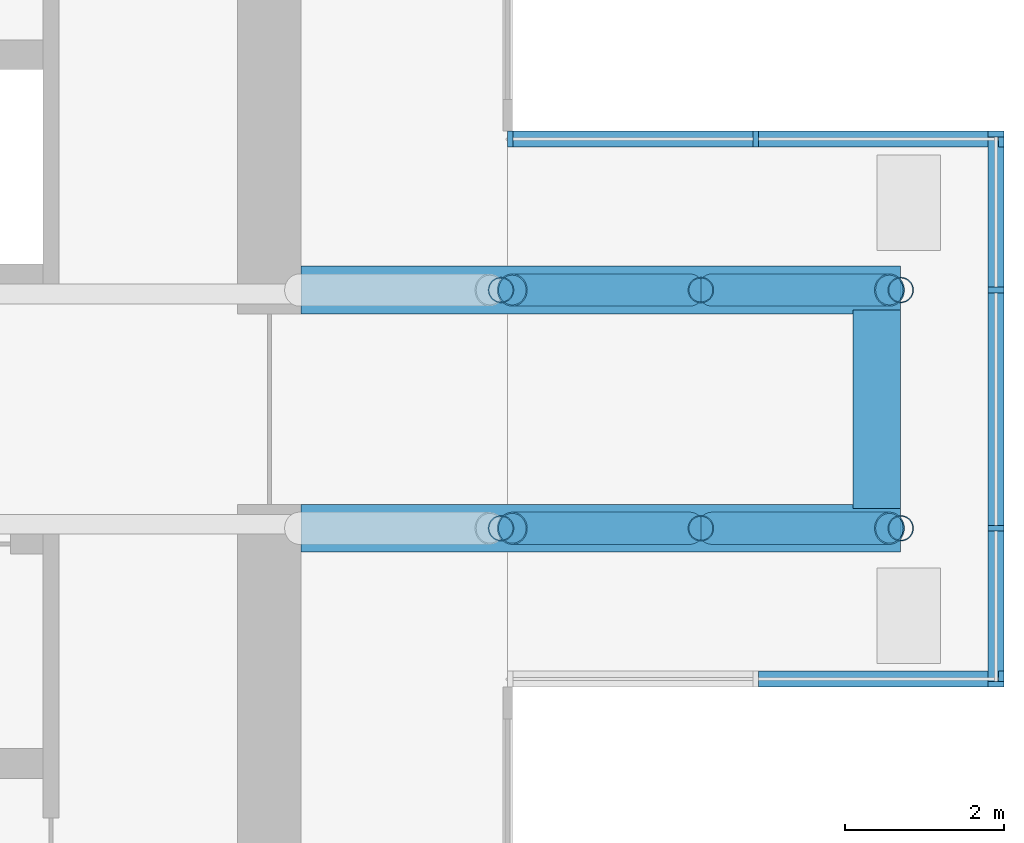
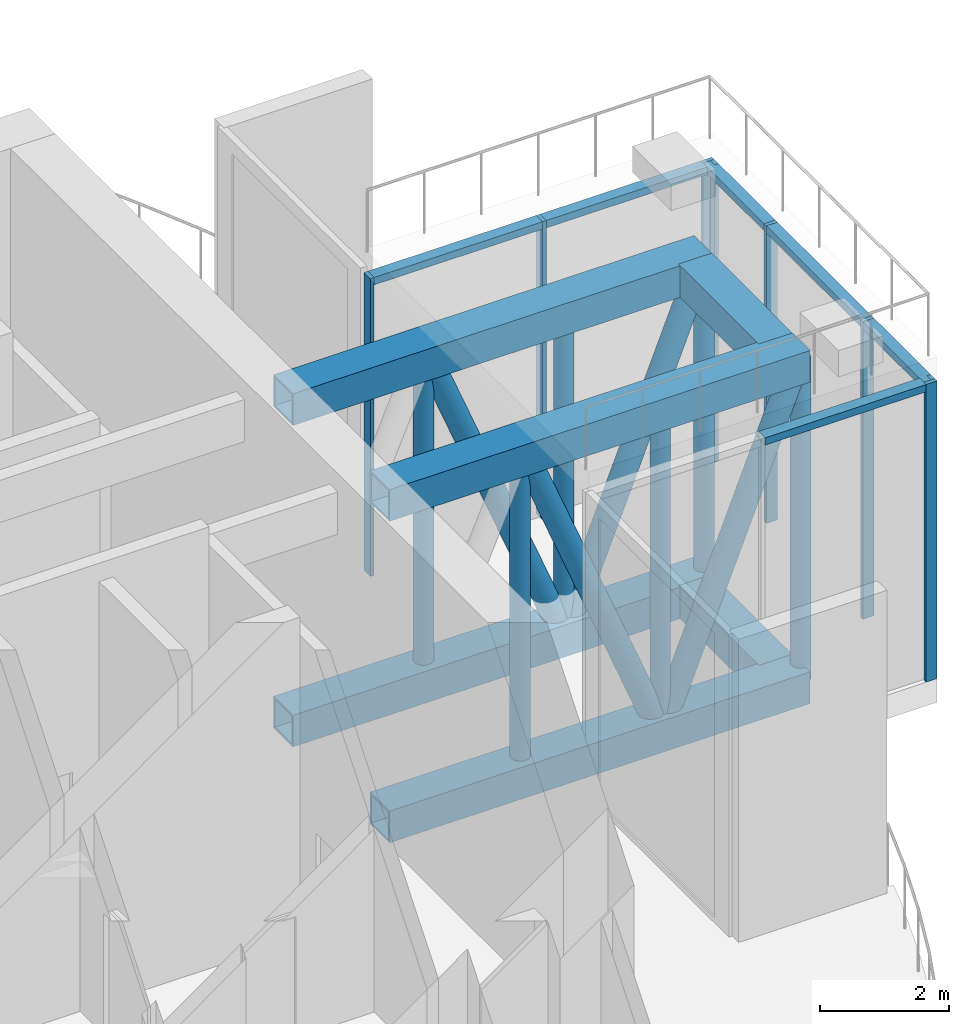
# One storey, part 7 of 22: 24 members, 6 beams, 3 elements without a shape of their own.
"""IFC4 building model written with IfcOpenShell, lengths in metres."""

import ifcopenshell
import ifcopenshell.guid

model = None  # the IFC model being written
_history = None  # IfcOwnerHistory: only IFC2X3 demands one
_inside = {}  # id of a spatial element -> (the spatial element, [elements in it])
_under = {}  # id of a project, library or spatial element -> (it, [spatial elements below it])
_declared = {}  # id of a project -> (the project, [libraries it declares])
_typed = {}  # id of a type object -> (the type object, [elements of that type])
_made_of = {}  # id of a material, layer set ... -> (it, [elements and type objects made of it])


def new_model(schema):
    """Start an empty IFC model of exactly this schema.

    Asked for "IFC4X3", IfcOpenShell would pick the latest addendum, in which some entities
    have other attributes; the version numbers below select the first issue.
    IFC2X3 requires an IfcOwnerHistory on every rooted entity: one is made here for all.
    """
    global model, _history
    if schema == "IFC4X3":
        model = ifcopenshell.file(schema_version=(4, 3, 0, 0))
    else:
        model = ifcopenshell.file(schema=schema)
    _inside.clear()
    _under.clear()
    _declared.clear()
    _typed.clear()
    _made_of.clear()
    _history = None
    if model.schema == "IFC2X3":
        org = make("IfcOrganization", Name="unknown")
        user = make(
            "IfcPersonAndOrganization",
            ThePerson=make("IfcPerson", FamilyName="unknown"),
            TheOrganization=org,
        )
        app = make(
            "IfcApplication",
            ApplicationDeveloper=org,
            Version="unknown",
            ApplicationFullName="unknown",
            ApplicationIdentifier="unknown",
        )
        _history = make(
            "IfcOwnerHistory",
            OwningUser=user,
            OwningApplication=app,
            ChangeAction="ADDED",
            CreationDate=0,
        )
    return model


def make(cls, **values):
    """One entity of the class cls with the attributes given. An attribute that is None is left unset."""
    return model.create_entity(
        cls, **{name: value for name, value in values.items() if value is not None}
    )


def rooted(cls, **values):
    """An entity with a GlobalId (a new one), such as an element, a storey or a relation."""
    return make(cls, GlobalId=ifcopenshell.guid.new(), OwnerHistory=_history, **values)


def si_unit(unit_type, name, prefix=None):
    """IfcSIUnit, for example si_unit("LENGTHUNIT", "METRE", prefix="MILLI")."""
    return make("IfcSIUnit", UnitType=unit_type, Prefix=prefix, Name=name)


def assignment(units):
    """IfcUnitAssignment: the units of a project."""
    return None if units is None else make("IfcUnitAssignment", Units=units)


def point(xyz):
    """IfcCartesianPoint."""
    return None if xyz is None else make("IfcCartesianPoint", Coordinates=xyz)


def direction(xyz):
    """IfcDirection."""
    return None if xyz is None else make("IfcDirection", DirectionRatios=xyz)


def frame(location, z_axis=None, x_axis=None):
    """IfcAxis2Placement3D, a coordinate frame: its origin and axes. An axis left out is left unset."""
    return make(
        "IfcAxis2Placement3D",
        Location=point(location),
        Axis=direction(z_axis),
        RefDirection=direction(x_axis),
    )


def frame_2d(location, x_axis=None):
    """IfcAxis2Placement2D, a coordinate frame in the plane: its origin and x axis."""
    return make(
        "IfcAxis2Placement2D", Location=point(location), RefDirection=direction(x_axis)
    )


def origin():
    """The frame at (0, 0, 0) with its axes left unset."""
    return frame((0.0, 0.0, 0.0))


def origin_2d():
    """The frame at (0, 0) in the plane with its x axis left unset."""
    return frame_2d((0.0, 0.0))


def place(relative_to, where):
    """IfcLocalPlacement: puts the frame where relative to a parent placement (None: the world)."""
    return make(
        "IfcLocalPlacement", PlacementRelTo=relative_to, RelativePlacement=where
    )


def context(
    kind, dimensions, precision=None, world=None, true_north=None, identifier=None
):
    """IfcGeometricRepresentationContext, for example the 3D "Model" context."""
    return make(
        "IfcGeometricRepresentationContext",
        ContextIdentifier=identifier,
        ContextType=kind,
        CoordinateSpaceDimension=dimensions,
        Precision=precision,
        WorldCoordinateSystem=world,
        TrueNorth=true_north,
    )


def subcontext(parent, identifier, kind, view, scale=None):
    """IfcGeometricRepresentationSubContext, for example "Body" below "Model"."""
    return make(
        "IfcGeometricRepresentationSubContext",
        ContextIdentifier=identifier,
        ContextType=kind,
        ParentContext=parent,
        TargetScale=scale,
        TargetView=view,
    )


def project(units=None, contexts=None):
    """IfcProject with its units and contexts."""
    return rooted(
        "IfcProject",
        Name="project",
        RepresentationContexts=contexts,
        UnitsInContext=assignment(units),
    )


def spatial(cls, under=None, at=None, **own):
    """A site, building, storey or space (cls), placed at a placement, below another one or the project."""
    s = rooted(cls, ObjectPlacement=at, **own)
    if under is not None:
        _under.setdefault(under.id(), (under, []))[1].append(s)
    return s


def profile(cls, at=None, kind="AREA", **sizes):
    """A parametric profile (cls). Its sizes go by their IFC names, for example OverallWidth=200.0."""
    return make(cls, ProfileType=kind, Position=at, **sizes)


def rectangle(**sizes):
    """IfcRectangleProfileDef."""
    return profile("IfcRectangleProfileDef", **sizes)


def hollow_rectangle(**sizes):
    """IfcRectangleHollowProfileDef."""
    return profile("IfcRectangleHollowProfileDef", **sizes)


def hollow_circle(**sizes):
    """IfcCircleHollowProfileDef."""
    return profile("IfcCircleHollowProfileDef", **sizes)


def extrude(swept, where, along, depth):
    """IfcExtrudedAreaSolid: the profile swept, set in the frame where, extruded along a direction by depth."""
    return make(
        "IfcExtrudedAreaSolid",
        SweptArea=swept,
        Position=where,
        ExtrudedDirection=direction(along),
        Depth=depth,
    )


def shape(context_of_items, identifier, shape_type, items):
    """IfcShapeRepresentation: the items that make up one representation, for example the "Body"."""
    return make(
        "IfcShapeRepresentation",
        ContextOfItems=context_of_items,
        RepresentationIdentifier=identifier,
        RepresentationType=shape_type,
        Items=items,
    )


def material(Name=None, Category=None):
    """IfcMaterial."""
    return make("IfcMaterial", Name=Name, Category=Category)


def layer(
    of_material, thickness, ventilated=None, Name=None, Category=None, Priority=None
):
    """IfcMaterialLayer: one layer of a wall or slab, of a material (None: an air gap)."""
    return make(
        "IfcMaterialLayer",
        Material=of_material,
        LayerThickness=thickness,
        IsVentilated=ventilated,
        Name=Name,
        Category=Category,
        Priority=Priority,
    )


def layer_set(layers, Name=None):
    """IfcMaterialLayerSet."""
    return make("IfcMaterialLayerSet", MaterialLayers=layers, LayerSetName=Name)


def material_profile(
    of_material, cross_section, Name=None, Category=None, Priority=None
):
    """IfcMaterialProfile: a cross section and its material."""
    return make(
        "IfcMaterialProfile",
        Name=Name,
        Material=of_material,
        Profile=cross_section,
        Priority=Priority,
        Category=Category,
    )


def profile_set(profiles, Name=None, composite=None):
    """IfcMaterialProfileSet."""
    return make(
        "IfcMaterialProfileSet",
        Name=Name,
        MaterialProfiles=profiles,
        CompositeProfile=composite,
    )


def made_of(thing, what):
    """Note that an element or type object is made of a material, layer set ...; save() writes the relation."""
    if what is not None:
        _made_of.setdefault(what.id(), (what, []))[1].append(thing)
    return thing


def type_object(cls, material=None, **own):
    """A type object (cls), such as IfcWallType, which elements share."""
    return made_of(rooted(cls, **own), material)


def element(
    cls,
    number,
    at=None,
    inside=None,
    cuts=None,
    type_object=None,
    material=None,
    context=None,
    identifier="Body",
    shape_type=None,
    held_by="IfcProductDefinitionShape",
    body=None,
    shapes=None,
    **own,
):
    """One element of the class cls, such as IfcWall. Its Tag is "e" and its number.

    at: its placement. inside: the storey or other place that contains it. cuts: it is an
    opening in that element (IfcRelVoidsElement). A single representation is given by context,
    identifier, shape_type and body (its items); several are given by shapes. held_by: the class
    of the entity that holds the representations. save() writes the other relations.
    """
    e = rooted(cls, Tag="e%d" % number, ObjectPlacement=at, **own)
    if body is not None:
        shapes = [shape(context, identifier, shape_type, body)]
    if shapes is not None:
        e.Representation = make(held_by, Representations=shapes)
    if inside is not None:
        _inside.setdefault(inside.id(), (inside, []))[1].append(e)
    if cuts is not None:
        rooted(
            "IfcRelVoidsElement", RelatingBuildingElement=cuts, RelatedOpeningElement=e
        )
    if type_object is not None:
        _typed.setdefault(type_object.id(), (type_object, []))[1].append(e)
    return made_of(e, material)


def aggregate(whole, parts):
    """IfcRelAggregates: a whole, such as a stair, and the parts it consists of."""
    return rooted("IfcRelAggregates", RelatingObject=whole, RelatedObjects=parts)


def save(model, path):
    """Write the relations noted so far, then the file.

    IfcRelAggregates (storeys below a building ...), IfcRelContainedInSpatialStructure (elements
    in a storey), IfcRelDefinesByType, IfcRelAssociatesMaterial and IfcRelDeclares: one each for
    every whole, place, type object, material and project.
    """
    for whole, parts in _under.values():
        aggregate(whole, parts)
    for where, things in _inside.values():
        rooted(
            "IfcRelContainedInSpatialStructure",
            RelatedElements=things,
            RelatingStructure=where,
        )
    for kind, things in _typed.values():
        rooted("IfcRelDefinesByType", RelatedObjects=things, RelatingType=kind)
    for what, things in _made_of.values():
        rooted("IfcRelAssociatesMaterial", RelatedObjects=things, RelatingMaterial=what)
    for by, libraries in _declared.values():
        rooted("IfcRelDeclares", RelatingContext=by, RelatedDefinitions=libraries)
    model.write(path)


model = new_model("IFC4")

# Units and contexts
model_context = context("Model", 3, precision=1e-05, world=origin(), true_north=direction((0.0, 1.0)))
body_context = subcontext(model_context, "Body", "Model", "MODEL_VIEW")
ifc_project = project(units=[si_unit("LENGTHUNIT", "METRE"), si_unit("AREAUNIT", "SQUARE_METRE"), si_unit("VOLUMEUNIT", "CUBIC_METRE"), si_unit("PLANEANGLEUNIT", "RADIAN"), si_unit("MASSUNIT", "GRAM", prefix="KILO")], contexts=[model_context])

# Site, building, storey
site_placement = place(None, origin())
site = spatial("IfcSite", under=ifc_project, at=site_placement, CompositionType="ELEMENT")
building_placement = place(site_placement, origin())
building = spatial("IfcBuilding", under=site, at=building_placement, Name="Maasbend Ring Residences", CompositionType="ELEMENT")
storey_placement = place(building_placement, frame((0.0, 0.0, 57.5)))
storey = spatial("IfcBuildingStorey", under=building, at=storey_placement, Name="L16", CompositionType="ELEMENT", Elevation=57.5)

# Curtain wall, members
ifc_material_1 = material(Name="Aluminium and clear glass", Category="aluminium")
ifc_layer = layer(ifc_material_1, 0.199951171875)
ifc_layer_set = layer_set([ifc_layer], Name="CW-GR")
curtain_wall_type = type_object("IfcCurtainWallType", Name="CW-GR", PredefinedType="NOTDEFINED", material=ifc_layer_set)
curtain_wall_1_placement = place(storey_placement, origin())
curtain_wall_1 = element("IfcCurtainWall", 1, at=curtain_wall_1_placement, inside=storey, type_object=curtain_wall_type, Name="Glass lounge curtain wall tip", PredefinedType="NOTDEFINED")
ifc_material_2 = material(Name="Aluminium 6063-T6", Category="aluminium")
ifc_material_profile_1 = material_profile(ifc_material_2, rectangle(XDim=0.199951171875, YDim=0.070068359375, at=origin_2d()), Name="AL 200x70")
ifc_profile_set_1 = profile_set([ifc_material_profile_1], Name="Aluminium 6063-T6")
member_type_1 = type_object("IfcMemberType", Name="CWM-GR", PredefinedType="MULLION", material=ifc_profile_set_1)
member_1_placement = place(storey_placement, frame((31.14990234375, -3.465087890625, 0.0), z_axis=(0.0, 0.0, 1.0), x_axis=(-1.0, 0.0, 0.0)))
member_1 = element("IfcMember", 2, at=member_1_placement, type_object=member_type_1, Name="Mullion glass room", PredefinedType="MULLION", context=body_context, shape_type="SweptSolid", body=[
    extrude(rectangle(XDim=0.199951171875, YDim=0.070068359375, at=origin_2d()), origin(), (0.0, 0.0, 1.0), 5.64990234375),
])
member_2_placement = place(storey_placement, frame((31.14990234375, -1.5, 0.0), z_axis=(0.0, 0.0, 1.0), x_axis=(-1.0, 0.0, 0.0)))
member_2 = element("IfcMember", 3, at=member_2_placement, type_object=member_type_1, Name="Mullion glass room", PredefinedType="MULLION", context=body_context, shape_type="SweptSolid", body=[
    extrude(rectangle(XDim=0.199951171875, YDim=0.070068359375, at=origin_2d()), origin(), (0.0, 0.0, 1.0), 5.64990234375),
])
member_3_placement = place(storey_placement, frame((31.14990234375, 1.5, 0.0), z_axis=(0.0, 0.0, 1.0), x_axis=(-1.0, 0.0, 0.0)))
member_3 = element("IfcMember", 4, at=member_3_placement, type_object=member_type_1, Name="Mullion glass room", PredefinedType="MULLION", context=body_context, shape_type="SweptSolid", body=[
    extrude(rectangle(XDim=0.199951171875, YDim=0.070068359375, at=origin_2d()), origin(), (0.0, 0.0, 1.0), 5.64990234375),
])
member_4_placement = place(storey_placement, frame((31.14990234375, 3.465087890625, 0.0), z_axis=(0.0, 0.0, 1.0), x_axis=(-1.0, 0.0, 0.0)))
member_4 = element("IfcMember", 5, at=member_4_placement, type_object=member_type_1, Name="Mullion glass room", PredefinedType="MULLION", context=body_context, shape_type="SweptSolid", body=[
    extrude(rectangle(XDim=0.199951171875, YDim=0.070068359375, at=origin_2d()), origin(), (0.0, 0.0, 1.0), 5.64990234375),
])

# Curtain wall, member
curtain_wall_2_placement = place(storey_placement, origin())
curtain_wall_2 = element("IfcCurtainWall", 6, at=curtain_wall_2_placement, inside=storey, type_object=curtain_wall_type, Name="Glass lounge curtain wall south", PredefinedType="NOTDEFINED")
member_5_placement = place(storey_placement, frame((31.215087890625, -3.39990234375, 0.0), z_axis=(0.0, 0.0, 1.0), x_axis=(0.0, 1.0, 0.0)))
member_5 = element("IfcMember", 7, at=member_5_placement, type_object=member_type_1, Name="Mullion glass room", PredefinedType="MULLION", context=body_context, shape_type="SweptSolid", body=[
    extrude(rectangle(XDim=0.199951171875, YDim=0.070068359375, at=origin_2d()), origin(), (0.0, 0.0, 1.0), 5.64990234375),
])

# Curtain wall, members
curtain_wall_3_placement = place(storey_placement, origin())
curtain_wall_3 = element("IfcCurtainWall", 8, at=curtain_wall_3_placement, inside=storey, type_object=curtain_wall_type, Name="Glass lounge curtain wall north", PredefinedType="NOTDEFINED")
member_6_placement = place(storey_placement, frame((25.034912109375, 3.39990234375, 0.0), z_axis=(0.0, 0.0, 1.0), x_axis=(0.0, 1.0, 0.0)))
member_6 = element("IfcMember", 9, at=member_6_placement, type_object=member_type_1, Name="Mullion glass room", PredefinedType="MULLION", context=body_context, shape_type="SweptSolid", body=[
    extrude(rectangle(XDim=0.199951171875, YDim=0.070068359375, at=origin_2d()), origin(), (0.0, 0.0, 1.0), 5.64990234375),
])
member_7_placement = place(storey_placement, frame((28.125, 3.39990234375, 0.0), z_axis=(0.0, 0.0, 1.0), x_axis=(0.0, 1.0, 0.0)))
member_7 = element("IfcMember", 10, at=member_7_placement, type_object=member_type_1, Name="Mullion glass room", PredefinedType="MULLION", context=body_context, shape_type="SweptSolid", body=[
    extrude(rectangle(XDim=0.199951171875, YDim=0.070068359375, at=origin_2d()), origin(), (0.0, 0.0, 1.0), 5.64990234375),
])
member_8_placement = place(storey_placement, frame((31.215087890625, 3.39990234375, 0.0), z_axis=(0.0, 0.0, 1.0), x_axis=(0.0, 1.0, 0.0)))
member_8 = element("IfcMember", 11, at=member_8_placement, type_object=member_type_1, Name="Mullion glass room", PredefinedType="MULLION", context=body_context, shape_type="SweptSolid", body=[
    extrude(rectangle(XDim=0.199951171875, YDim=0.070068359375, at=origin_2d()), origin(), (0.0, 0.0, 1.0), 5.64990234375),
])

# Member
ifc_material_3 = material(Name="Aluminium 6063-T6", Category="aluminium")
ifc_material_profile_2 = material_profile(ifc_material_3, rectangle(XDim=0.199951171875, YDim=0.139892578125, at=origin_2d()), Name="AL 200x140")
ifc_profile_set_2 = profile_set([ifc_material_profile_2], Name="Aluminium 6063-T6")
member_type_2 = type_object("IfcMemberType", Name="CWT-GR", PredefinedType="USERDEFINED", material=ifc_profile_set_2)
member_9_placement = place(storey_placement, frame((31.14990234375, -3.429931640625, 5.580078125), z_axis=(0.0, 1.0, 0.0), x_axis=(-1.0, 0.0, 0.0)))
member_9 = element("IfcMember", 12, at=member_9_placement, type_object=member_type_2, Name="Transom glass room", ObjectType="TRANSOM", PredefinedType="USERDEFINED", context=body_context, shape_type="SweptSolid", body=[
    extrude(rectangle(XDim=0.199951171875, YDim=0.139892578125, at=origin_2d()), origin(), (0.0, 0.0, 1.0), 1.89501953125),
])

member_10_placement = place(storey_placement, frame((31.14990234375, -1.465087890625, 5.580078125), z_axis=(0.0, 1.0, 0.0), x_axis=(-1.0, 0.0, 0.0)))
member_10 = element("IfcMember", 13, at=member_10_placement, type_object=member_type_2, Name="Transom glass room", ObjectType="TRANSOM", PredefinedType="USERDEFINED", context=body_context, shape_type="SweptSolid", body=[
    extrude(rectangle(XDim=0.199951171875, YDim=0.139892578125, at=origin_2d()), origin(), (0.0, 0.0, 1.0), 2.93017578125),
])

member_11_placement = place(storey_placement, frame((31.14990234375, 1.534912109375, 5.580078125), z_axis=(0.0, 1.0, 0.0), x_axis=(-1.0, 0.0, 0.0)))
member_11 = element("IfcMember", 14, at=member_11_placement, type_object=member_type_2, Name="Transom glass room", ObjectType="TRANSOM", PredefinedType="USERDEFINED", context=body_context, shape_type="SweptSolid", body=[
    extrude(rectangle(XDim=0.199951171875, YDim=0.139892578125, at=origin_2d()), origin(), (0.0, 0.0, 1.0), 1.89501953125),
])

aggregate(curtain_wall_1, [member_1, member_2, member_3, member_4, member_9, member_10, member_11])

member_12_placement = place(storey_placement, frame((28.159912109375, -3.39990234375, 5.580078125), z_axis=(1.0, 0.0, 0.0), x_axis=(0.0, 1.0, 0.0)))
member_12 = element("IfcMember", 15, at=member_12_placement, type_object=member_type_2, Name="Transom glass room", ObjectType="TRANSOM", PredefinedType="USERDEFINED", context=body_context, shape_type="SweptSolid", body=[
    extrude(rectangle(XDim=0.199951171875, YDim=0.139892578125, at=origin_2d()), origin(), (0.0, 0.0, 1.0), 3.02001953125),
])

aggregate(curtain_wall_2, [member_5, member_12])

member_13_placement = place(storey_placement, frame((25.070068359375, 3.39990234375, 5.580078125), z_axis=(1.0, 0.0, 0.0), x_axis=(0.0, 1.0, 0.0)))
member_13 = element("IfcMember", 16, at=member_13_placement, type_object=member_type_2, Name="Transom glass room", ObjectType="TRANSOM", PredefinedType="USERDEFINED", context=body_context, shape_type="SweptSolid", body=[
    extrude(rectangle(XDim=0.199951171875, YDim=0.139892578125, at=origin_2d()), origin(), (0.0, 0.0, 1.0), 3.02001953125),
])

member_14_placement = place(storey_placement, frame((28.159912109375, 3.39990234375, 5.580078125), z_axis=(1.0, 0.0, 0.0), x_axis=(0.0, 1.0, 0.0)))
member_14 = element("IfcMember", 17, at=member_14_placement, type_object=member_type_2, Name="Transom glass room", ObjectType="TRANSOM", PredefinedType="USERDEFINED", context=body_context, shape_type="SweptSolid", body=[
    extrude(rectangle(XDim=0.199951171875, YDim=0.139892578125, at=origin_2d()), origin(), (0.0, 0.0, 1.0), 3.02001953125),
])

aggregate(curtain_wall_3, [member_6, member_7, member_8, member_13, member_14])

# Beams
ifc_material_4 = material(Name="Steel S460M", Category="steel")
ifc_material_profile_3 = material_profile(ifc_material_4, hollow_rectangle(XDim=0.60009765625, YDim=0.60009765625, WallThickness=0.035888671875, at=origin_2d()), Name="Glass room truss chord BX 600x600x36")
ifc_profile_set_3 = profile_set([ifc_material_profile_3], Name="Steel S460M")
beam_type = type_object("IfcBeamType", Name="Glass room truss chord BX 600x600x36", PredefinedType="BEAM", material=ifc_profile_set_3)
for number, where, z_axis, x_axis, name in (
    (18, (22.39990234375, -1.5, -0.75), (1.0, 0.0, 0.0), (0.0, 1.0, 0.0), "Glass room truss E"),
    (19, (22.39990234375, -1.5, 5.35009765625), (1.0, 0.0, 0.0), (0.0, 1.0, 0.0), "Glass room truss E"),
):
    element("IfcBeam", number, at=place(storey_placement, frame(where, z_axis=z_axis, x_axis=x_axis)), inside=storey, type_object=beam_type, Name=name, PredefinedType="BEAM", context=body_context, shape_type="SweptSolid", body=[
        extrude(hollow_rectangle(XDim=0.60009765625, YDim=0.60009765625, WallThickness=0.035888671875, at=origin_2d()), origin(), (0.0, 0.0, 1.0), 7.550048828125),
    ])
for number, where, z_axis, x_axis, name in (
    (20, (29.64990234375, -1.25, 5.35009765625), (0.0, 1.0, 0.0), (-1.0, 0.0, 0.0), "Glass room tip beam E"),
    (21, (29.64990234375, -1.25, -0.75), (0.0, 1.0, 0.0), (-1.0, 0.0, 0.0), "Glass room lower tip beam E"),
):
    element("IfcBeam", number, at=place(storey_placement, frame(where, z_axis=z_axis, x_axis=x_axis)), inside=storey, type_object=beam_type, Name=name, PredefinedType="BEAM", context=body_context, shape_type="SweptSolid", body=[
        extrude(hollow_rectangle(XDim=0.60009765625, YDim=0.60009765625, WallThickness=0.035888671875, at=origin_2d()), origin(), (0.0, 0.0, 1.0), 2.5),
    ])
for number, where, z_axis, x_axis, name in (
    (22, (22.39990234375, 1.5, -0.75), (1.0, 0.0, 0.0), (0.0, 1.0, 0.0), "Glass room truss E"),
    (23, (22.39990234375, 1.5, 5.35009765625), (1.0, 0.0, 0.0), (0.0, 1.0, 0.0), "Glass room truss E"),
):
    element("IfcBeam", number, at=place(storey_placement, frame(where, z_axis=z_axis, x_axis=x_axis)), inside=storey, type_object=beam_type, Name=name, PredefinedType="BEAM", context=body_context, shape_type="SweptSolid", body=[
        extrude(hollow_rectangle(XDim=0.60009765625, YDim=0.60009765625, WallThickness=0.035888671875, at=origin_2d()), origin(), (0.0, 0.0, 1.0), 7.550048828125),
    ])

# Members
ifc_material_5 = material(Name="Steel S460NH", Category="steel")
ifc_material_profile_4 = material_profile(ifc_material_5, hollow_circle(Radius=0.203125, WallThickness=0.01611328125, at=origin_2d()), Name="Glass room truss diagonal CHS 406.4x16")
ifc_profile_set_4 = profile_set([ifc_material_profile_4], Name="Steel S460NH")
member_type_3 = type_object("IfcMemberType", Name="Glass room truss diagonal CHS 406.4x16", PredefinedType="BRACE", material=ifc_profile_set_4)
for number, where, z_axis, x_axis, name in (
    (24, (25.05859375, -1.5, 5.10009765625), (0.370336143871, 0.0, -0.928897809526), (0.0, 1.0, 0.0), "Glass room truss E diagonal"),
    (25, (27.5751953125, -1.5, -0.5), (0.370371085126, 0.0, 0.928883878266), (0.0, 1.0, 0.0), "Glass room truss E diagonal"),
    (26, (25.05859375, 1.5, 5.10009765625), (0.370336143871, 0.0, -0.928897809526), (0.0, 1.0, 0.0), "Glass room truss E diagonal"),
    (27, (27.5751953125, 1.5, -0.5), (0.370371085126, 0.0, 0.928883878266), (0.0, 1.0, 0.0), "Glass room truss E diagonal"),
):
    element("IfcMember", number, at=place(storey_placement, frame(where, z_axis=z_axis, x_axis=x_axis)), inside=storey, type_object=member_type_3, Name=name, PredefinedType="BRACE", context=body_context, shape_type="SweptSolid", body=[
        extrude(hollow_circle(Radius=0.203125, WallThickness=0.01611328125, at=origin_2d()), origin(), (0.0, 0.0, 1.0), 6.02880859375),
    ])
ifc_material_6 = material(Name="Steel S460NH", Category="steel")
ifc_material_profile_5 = material_profile(ifc_material_6, hollow_circle(Radius=0.161865234375, WallThickness=0.012451171875, at=origin_2d()), Name="Glass room truss post CHS 323.9x12.5")
ifc_profile_set_5 = profile_set([ifc_material_profile_5], Name="Steel S460NH")
member_type_4 = type_object("IfcMemberType", Name="Glass room truss post CHS 323.9x12.5", PredefinedType="POST", material=ifc_profile_set_5)
for number, where, z_axis, x_axis, name in (
    (28, (24.916748046875, -1.5, -0.449951171875), (0.0, 0.0, 1.0), (1.0, 0.0, 0.0), "Glass room truss E post"),
    (29, (27.433349609375, -1.5, -0.449951171875), (0.0, 0.0, 1.0), (1.0, 0.0, 0.0), "Glass room truss E post"),
):
    element("IfcMember", number, at=place(storey_placement, frame(where, z_axis=z_axis, x_axis=x_axis)), inside=storey, type_object=member_type_4, Name=name, PredefinedType="POST", context=body_context, shape_type="SweptSolid", body=[
        extrude(hollow_circle(Radius=0.161865234375, WallThickness=0.012451171875, at=origin_2d()), origin(), (0.0, 0.0, 1.0), 5.5),
    ])
member_15_placement = place(storey_placement, frame((29.949951171875, -1.5, -0.75), z_axis=(0.0, 0.0, 1.0), x_axis=(1.0, 0.0, 0.0)))
element("IfcMember", 30, at=member_15_placement, inside=storey, type_object=member_type_4, Name="Glass room truss E post", PredefinedType="POST", context=body_context, shape_type="SweptSolid", body=[
    extrude(hollow_circle(Radius=0.161865234375, WallThickness=0.012451171875, at=origin_2d()), origin(), (0.0, 0.0, 1.0), 6.10009765625),
])
for number, where, z_axis, x_axis, name in (
    (31, (24.916748046875, 1.5, -0.449951171875), (0.0, 0.0, 1.0), (1.0, 0.0, 0.0), "Glass room truss E post"),
    (32, (27.433349609375, 1.5, -0.449951171875), (0.0, 0.0, 1.0), (1.0, 0.0, 0.0), "Glass room truss E post"),
):
    element("IfcMember", number, at=place(storey_placement, frame(where, z_axis=z_axis, x_axis=x_axis)), inside=storey, type_object=member_type_4, Name=name, PredefinedType="POST", context=body_context, shape_type="SweptSolid", body=[
        extrude(hollow_circle(Radius=0.161865234375, WallThickness=0.012451171875, at=origin_2d()), origin(), (0.0, 0.0, 1.0), 5.5),
    ])
member_16_placement = place(storey_placement, frame((29.949951171875, 1.5, -0.75), z_axis=(0.0, 0.0, 1.0), x_axis=(1.0, 0.0, 0.0)))
element("IfcMember", 33, at=member_16_placement, inside=storey, type_object=member_type_4, Name="Glass room truss E post", PredefinedType="POST", context=body_context, shape_type="SweptSolid", body=[
    extrude(hollow_circle(Radius=0.161865234375, WallThickness=0.012451171875, at=origin_2d()), origin(), (0.0, 0.0, 1.0), 6.10009765625),
])

save(model, "model.ifc")
